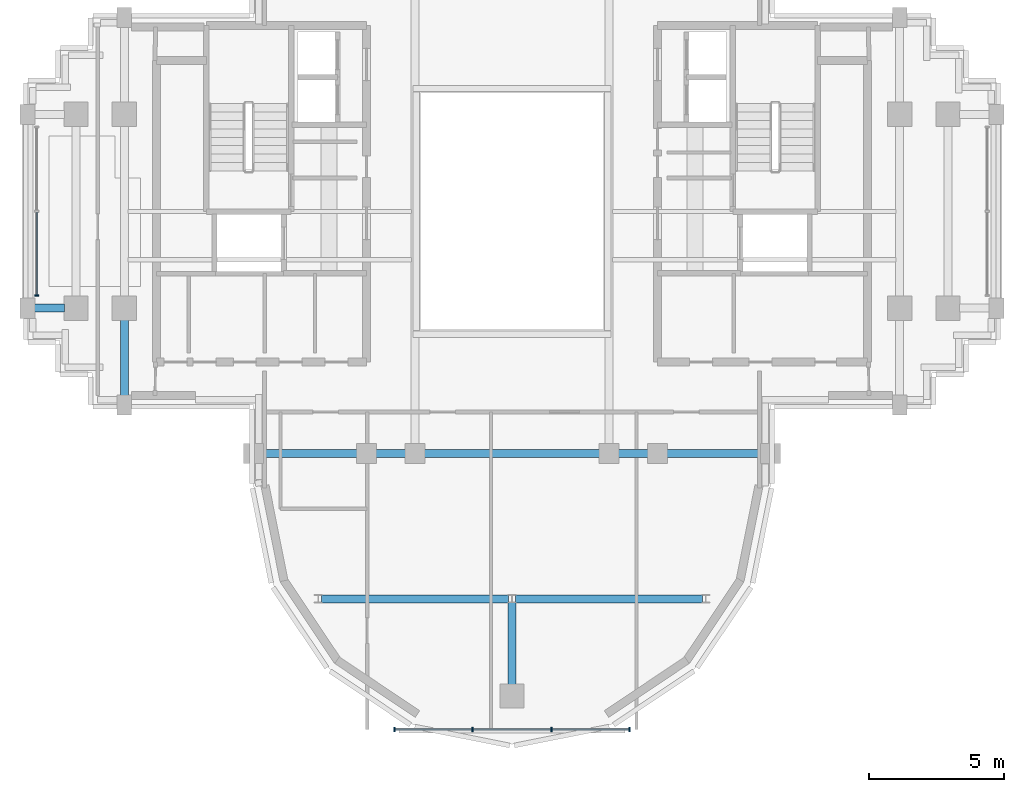
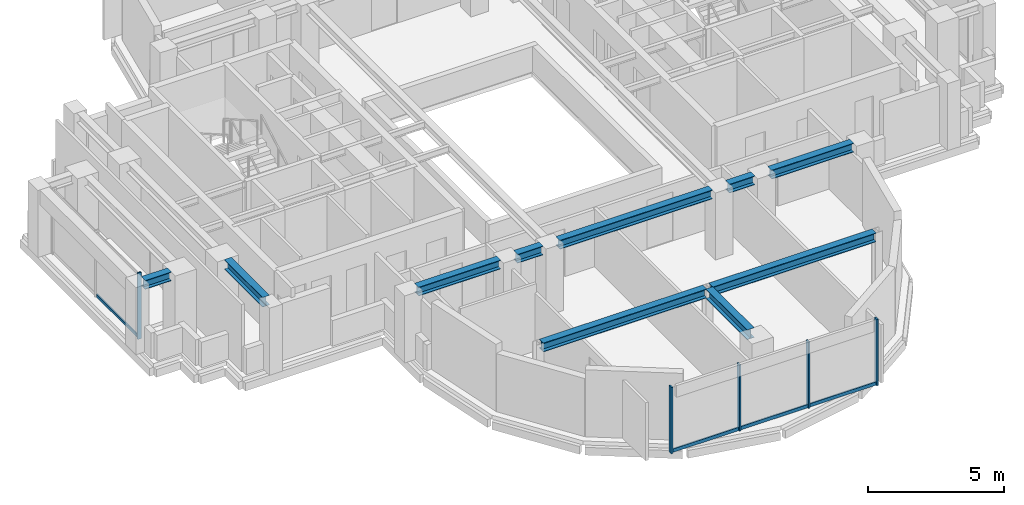
# One storey, part 3 of 12: 10 beams, 9 members, 2 elements without a shape of their own.
"""IFC4 building model written with IfcOpenShell, lengths in metres."""

from ifc_helpers import new_model, si_unit, direction, frame, origin, origin_2d, place, context, subcontext, project, spatial, rectangle, i_section, extrude, source, transform, mapped, material, material_profile, profile_set, type_object, element, aggregate, save


model = new_model("IFC4")

# Units and contexts
model_context = context("Model", 3, precision=1e-05, world=origin(), true_north=direction((0.0, 1.0)))
body_context = subcontext(model_context, "Body", "Model", "MODEL_VIEW")
ifc_project = project(units=[si_unit("LENGTHUNIT", "METRE"), si_unit("AREAUNIT", "SQUARE_METRE"), si_unit("VOLUMEUNIT", "CUBIC_METRE"), si_unit("PLANEANGLEUNIT", "RADIAN"), si_unit("MASSUNIT", "GRAM", prefix="KILO")], contexts=[model_context])

# Site, building, storey
site_placement = place(None, origin())
site = spatial("IfcSite", under=ifc_project, at=site_placement, CompositionType="ELEMENT")
building_placement = place(site_placement, origin())
building = spatial("IfcBuilding", under=site, at=building_placement, Name="Keilestroom Media Tower", CompositionType="ELEMENT")
storey_placement = place(building_placement, frame((0.0, 0.0, 223.60009765625)))
storey = spatial("IfcBuildingStorey", under=building, at=storey_placement, Name="L61", CompositionType="ELEMENT", Elevation=223.60009765625)

# Beams
ifc_material_1 = material(Name="Steel S355", Category="steel")
ifc_material_profile_1 = material_profile(ifc_material_1, i_section(OverallWidth=0.300048828125, OverallDepth=0.39990234375, WebThickness=0.011474609375, FlangeThickness=0.02392578125, at=origin_2d()), Name="HEB 400")
ifc_profile_set_1 = profile_set([ifc_material_profile_1], Name="Steel S355")
beam_type_1 = type_object("IfcBeamType", Name="Primary-Structural-Girder-HEB-400", PredefinedType="BEAM", material=ifc_profile_set_1)
shared_shape_1 = source(origin(), body_context, "Body", "SweptSolid", [
    extrude(i_section(OverallWidth=0.300048828125, OverallDepth=0.39990234375, WebThickness=0.011474609375, FlangeThickness=0.02392578125, at=origin_2d()), origin(), (0.0, 0.0, 1.0), 6.940185546875),
])
for number, where, z_axis, x_axis, name in (
    (1, (-7.070068359375, -14.39990234375, 2.809814453125), (1.0, 0.0, 0.0), (0.0, 1.0, 0.0), "L61 Beam BG-8 BM-L61-EW-001"),
    (2, (0.1298828125, -14.39990234375, 2.809814453125), (1.0, 0.0, 0.0), (0.0, 1.0, 0.0), "L61 Beam BG-8 BM-L61-EW-002"),
):
    element("IfcBeam", number, at=place(storey_placement, frame(where, z_axis=z_axis, x_axis=x_axis)), inside=storey, type_object=beam_type_1, Name=name, PredefinedType="BEAM", context=body_context, shape_type="MappedRepresentation", body=[
        mapped(shared_shape_1, transform((0.0, 0.0, 0.0), x_axis=(1.0, 0.0, 0.0), y_axis=(0.0, 1.0, 0.0), z_axis=(0.0, 0.0, 1.0), scale=1.0)),
    ])
shared_shape_2 = source(origin(), body_context, "Body", "SweptSolid", [
    extrude(i_section(OverallWidth=0.300048828125, OverallDepth=0.39990234375, WebThickness=0.011474609375, FlangeThickness=0.02392578125, at=origin_2d()), origin(), (0.0, 0.0, 1.0), 3.490234375),
])
for number, where, z_axis, x_axis, name in (
    (3, (-9.2451171875, -9.0, 2.809814453125), (1.0, 0.0, 0.0), (0.0, 1.0, 0.0), "L61 Beam BG-8 BM-L61-EW-003"),
    (4, (5.7548828125, -9.0, 2.809814453125), (1.0, 0.0, 0.0), (0.0, 1.0, 0.0), "L61 Beam BG-8 BM-L61-EW-007"),
):
    element("IfcBeam", number, at=place(storey_placement, frame(where, z_axis=z_axis, x_axis=x_axis)), inside=storey, type_object=beam_type_1, Name=name, PredefinedType="BEAM", context=body_context, shape_type="MappedRepresentation", body=[
        mapped(shared_shape_2, transform((0.0, 0.0, 0.0), x_axis=(1.0, 0.0, 0.0), y_axis=(0.0, 1.0, 0.0), z_axis=(0.0, 0.0, 1.0), scale=1.0)),
    ])
shared_shape_3 = source(origin(), body_context, "Body", "SweptSolid", [
    extrude(i_section(OverallWidth=0.300048828125, OverallDepth=0.39990234375, WebThickness=0.011474609375, FlangeThickness=0.02392578125, at=origin_2d()), origin(), (0.0, 0.0, 1.0), 1.08984375),
])
for number, where, z_axis, x_axis, name in (
    (5, (-5.044921875, -9.0, 2.809814453125), (1.0, 0.0, 0.0), (0.0, 1.0, 0.0), "L61 Beam BG-8 BM-L61-EW-004"),
    (6, (3.955078125, -9.0, 2.809814453125), (1.0, 0.0, 0.0), (0.0, 1.0, 0.0), "L61 Beam BG-8 BM-L61-EW-006"),
):
    element("IfcBeam", number, at=place(storey_placement, frame(where, z_axis=z_axis, x_axis=x_axis)), inside=storey, type_object=beam_type_1, Name=name, PredefinedType="BEAM", context=body_context, shape_type="MappedRepresentation", body=[
        mapped(shared_shape_3, transform((0.0, 0.0, 0.0), x_axis=(1.0, 0.0, 0.0), y_axis=(0.0, 1.0, 0.0), z_axis=(0.0, 0.0, 1.0), scale=1.0)),
    ])
shared_shape_4 = source(origin(), body_context, "Body", "SweptSolid", [
    extrude(i_section(OverallWidth=0.300048828125, OverallDepth=0.39990234375, WebThickness=0.011474609375, FlangeThickness=0.02392578125, at=origin_2d()), origin(), (0.0, 0.0, 1.0), 6.490234375),
])
beam_1_placement = place(storey_placement, frame((-3.2451171875, -9.0, 2.809814453125), z_axis=(1.0, 0.0, 0.0), x_axis=(0.0, 1.0, 0.0)))
element("IfcBeam", 7, at=beam_1_placement, inside=storey, type_object=beam_type_1, Name="L61 Beam BG-8 BM-L61-EW-005", PredefinedType="BEAM", context=body_context, shape_type="MappedRepresentation", body=[
    mapped(shared_shape_4, transform((0.0, 0.0, 0.0), x_axis=(1.0, 0.0, 0.0), y_axis=(0.0, 1.0, 0.0), z_axis=(0.0, 0.0, 1.0), scale=1.0)),
])
shared_shape_5 = source(origin(), body_context, "Body", "SweptSolid", [
    extrude(i_section(OverallWidth=0.300048828125, OverallDepth=0.39990234375, WebThickness=0.011474609375, FlangeThickness=0.02392578125, at=origin_2d()), origin(), (0.0, 0.0, 1.0), 1.115234375),
])
beam_2_placement = place(storey_placement, frame((-17.7451171875, -3.60009765625, 2.809814453125), z_axis=(1.0, 0.0, 0.0), x_axis=(0.0, 1.0, 0.0)))
element("IfcBeam", 8, at=beam_2_placement, inside=storey, type_object=beam_type_1, Name="L61 Beam BG-8 BM-L61-EW-008", PredefinedType="BEAM", context=body_context, shape_type="MappedRepresentation", body=[
    mapped(shared_shape_5, transform((0.0, 0.0, 0.0), x_axis=(1.0, 0.0, 0.0), y_axis=(0.0, 1.0, 0.0), z_axis=(0.0, 0.0, 1.0), scale=1.0)),
])
ifc_material_profile_2 = material_profile(ifc_material_1, i_section(OverallWidth=0.300048828125, OverallDepth=0.43994140625, WebThickness=0.011474609375, FlangeThickness=0.02099609375, at=origin_2d()), Name="HEA 450")
ifc_profile_set_2 = profile_set([ifc_material_profile_2], Name="Steel S355")
beam_type_2 = type_object("IfcBeamType", Name="Primary-Structural-Girder-HEA-450", PredefinedType="BEAM", material=ifc_profile_set_2)
shared_shape_6 = source(origin(), body_context, "Body", "SweptSolid", [
    extrude(i_section(OverallWidth=0.300048828125, OverallDepth=0.43994140625, WebThickness=0.011474609375, FlangeThickness=0.02099609375, at=origin_2d()), origin(), (0.0, 0.0, 1.0), 2.81494140625),
])
beam_3_placement = place(storey_placement, frame((-14.39990234375, -6.844970703125, 2.789794921875), z_axis=(0.0, 1.0, 0.0), x_axis=(-1.0, 0.0, 0.0)))
element("IfcBeam", 9, at=beam_3_placement, inside=storey, type_object=beam_type_2, Name="L61 Beam BG-11 BM-L61-NS-027", PredefinedType="BEAM", context=body_context, shape_type="MappedRepresentation", body=[
    mapped(shared_shape_6, transform((0.0, 0.0, 0.0), x_axis=(1.0, 0.0, 0.0), y_axis=(0.0, 1.0, 0.0), z_axis=(0.0, 0.0, 1.0), scale=1.0)),
])
shared_shape_7 = source(origin(), body_context, "Body", "SweptSolid", [
    extrude(i_section(OverallWidth=0.300048828125, OverallDepth=0.43994140625, WebThickness=0.011474609375, FlangeThickness=0.02099609375, at=origin_2d()), origin(), (0.0, 0.0, 1.0), 3.0400390625),
])
beam_4_placement = place(storey_placement, frame((0.0, -17.570068359375, 2.789794921875), z_axis=(0.0, 1.0, 0.0), x_axis=(-1.0, 0.0, 0.0)))
element("IfcBeam", 10, at=beam_4_placement, inside=storey, type_object=beam_type_2, Name="L61 Beam BG-11 BM-L61-NS-034", PredefinedType="BEAM", context=body_context, shape_type="MappedRepresentation", body=[
    mapped(shared_shape_7, transform((0.0, 0.0, 0.0), x_axis=(1.0, 0.0, 0.0), y_axis=(0.0, 1.0, 0.0), z_axis=(0.0, 0.0, 1.0), scale=1.0)),
])

# Curtain wall, members
ifc_material_2 = material(Name="Anodised Aluminium Alloy", Category="aluminium")
curtain_wall_type_1 = type_object("IfcCurtainWallType", Name="Unitised-Curtain-Wall-CW-6", PredefinedType="NOTDEFINED", material=ifc_material_2)
curtain_wall_1_placement = place(storey_placement, origin())
curtain_wall_1 = element("IfcCurtainWall", 11, at=curtain_wall_1_placement, inside=storey, type_object=curtain_wall_type_1, Name="L61 Curtain Wall CW-6 CW-L61-LS-1", PredefinedType="NOTDEFINED")
ifc_material_profile_3 = material_profile(ifc_material_2, rectangle(XDim=0.06494140625, YDim=0.179931640625, at=origin_2d()), Name="ALU MULLION 65x180")
ifc_profile_set_3 = profile_set([ifc_material_profile_3], Name="Anodised Aluminium Alloy")
member_type_1 = type_object("IfcMemberType", Name="Curtain-Wall-Mullion-CW-6", PredefinedType="MULLION", material=ifc_profile_set_3)
shared_shape_8 = source(origin(), body_context, "Body", "SweptSolid", [
    extrude(rectangle(XDim=0.06494140625, YDim=0.179931640625, at=origin_2d()), origin(), (0.0, 0.0, 1.0), 2.97998046875),
])
member_1_placement = place(storey_placement, frame((-4.367431640625, -19.25, 0.0), z_axis=(0.0, 0.0, 1.0), x_axis=(1.0, 0.0, 0.0)))
member_1 = element("IfcMember", 12, at=member_1_placement, type_object=member_type_1, Name="CW-6 Mullion 00", PredefinedType="MULLION", context=body_context, shape_type="MappedRepresentation", body=[
    mapped(shared_shape_8, transform((0.0, 0.0, 0.0), x_axis=(1.0, 0.0, 0.0), y_axis=(0.0, 1.0, 0.0), z_axis=(0.0, 0.0, 1.0), scale=1.0)),
])
member_2_placement = place(storey_placement, frame((-1.466796875, -19.25, 0.0), z_axis=(0.0, 0.0, 1.0), x_axis=(1.0, 0.0, 0.0)))
member_2 = element("IfcMember", 13, at=member_2_placement, type_object=member_type_1, Name="CW-6 Mullion 01", PredefinedType="MULLION", context=body_context, shape_type="MappedRepresentation", body=[
    mapped(shared_shape_8, transform((0.0, 0.0, 0.0), x_axis=(1.0, 0.0, 0.0), y_axis=(0.0, 1.0, 0.0), z_axis=(0.0, 0.0, 1.0), scale=1.0)),
])
member_3_placement = place(storey_placement, frame((1.466796875, -19.25, 0.0), z_axis=(0.0, 0.0, 1.0), x_axis=(1.0, 0.0, 0.0)))
member_3 = element("IfcMember", 14, at=member_3_placement, type_object=member_type_1, Name="CW-6 Mullion 02", PredefinedType="MULLION", context=body_context, shape_type="MappedRepresentation", body=[
    mapped(shared_shape_8, transform((0.0, 0.0, 0.0), x_axis=(1.0, 0.0, 0.0), y_axis=(0.0, 1.0, 0.0), z_axis=(0.0, 0.0, 1.0), scale=1.0)),
])
member_4_placement = place(storey_placement, frame((4.367431640625, -19.25, 0.0), z_axis=(0.0, 0.0, 1.0), x_axis=(1.0, 0.0, 0.0)))
member_4 = element("IfcMember", 15, at=member_4_placement, type_object=member_type_1, Name="CW-6 Mullion 03", PredefinedType="MULLION", context=body_context, shape_type="MappedRepresentation", body=[
    mapped(shared_shape_8, transform((0.0, 0.0, 0.0), x_axis=(1.0, 0.0, 0.0), y_axis=(0.0, 1.0, 0.0), z_axis=(0.0, 0.0, 1.0), scale=1.0)),
])
ifc_material_profile_4 = material_profile(ifc_material_2, rectangle(XDim=0.06494140625, YDim=0.14990234375, at=origin_2d()), Name="ALU TRANSOM 65x150")
ifc_profile_set_4 = profile_set([ifc_material_profile_4], Name="Anodised Aluminium Alloy")
member_type_2 = type_object("IfcMemberType", Name="Curtain-Wall-Transom-CW-6", PredefinedType="USERDEFINED", material=ifc_profile_set_4)
shared_shape_9 = source(origin(), body_context, "Body", "SweptSolid", [
    extrude(rectangle(XDim=0.06494140625, YDim=0.14990234375, at=origin_2d()), origin(), (0.0, 0.0, 1.0), 2.839599609375),
])
member_5_placement = place(storey_placement, frame((-4.3369140625, -19.25, 0.074951171875), z_axis=(1.0, 0.0, 0.0), x_axis=(0.0, 1.0, 0.0)))
member_5 = element("IfcMember", 16, at=member_5_placement, type_object=member_type_2, Name="CW-6 Transom 00.1", ObjectType="TRANSOM", PredefinedType="USERDEFINED", context=body_context, shape_type="MappedRepresentation", body=[
    mapped(shared_shape_9, transform((0.0, 0.0, 0.0), x_axis=(1.0, 0.0, 0.0), y_axis=(0.0, 1.0, 0.0), z_axis=(0.0, 0.0, 1.0), scale=1.0)),
])
member_6_placement = place(storey_placement, frame((1.497314453125, -19.25, 0.074951171875), z_axis=(1.0, 0.0, 0.0), x_axis=(0.0, 1.0, 0.0)))
member_6 = element("IfcMember", 17, at=member_6_placement, type_object=member_type_2, Name="CW-6 Transom 02.1", ObjectType="TRANSOM", PredefinedType="USERDEFINED", context=body_context, shape_type="MappedRepresentation", body=[
    mapped(shared_shape_9, transform((0.0, 0.0, 0.0), x_axis=(1.0, 0.0, 0.0), y_axis=(0.0, 1.0, 0.0), z_axis=(0.0, 0.0, 1.0), scale=1.0)),
])
shared_shape_10 = source(origin(), body_context, "Body", "SweptSolid", [
    extrude(rectangle(XDim=0.06494140625, YDim=0.14990234375, at=origin_2d()), origin(), (0.0, 0.0, 1.0), 2.87255859375),
])
member_7_placement = place(storey_placement, frame((-1.436279296875, -19.25, 0.074951171875), z_axis=(1.0, 0.0, 0.0), x_axis=(0.0, 1.0, 0.0)))
member_7 = element("IfcMember", 18, at=member_7_placement, type_object=member_type_2, Name="CW-6 Transom 01.1", ObjectType="TRANSOM", PredefinedType="USERDEFINED", context=body_context, shape_type="MappedRepresentation", body=[
    mapped(shared_shape_10, transform((0.0, 0.0, 0.0), x_axis=(1.0, 0.0, 0.0), y_axis=(0.0, 1.0, 0.0), z_axis=(0.0, 0.0, 1.0), scale=1.0)),
])
aggregate(curtain_wall_1, [member_1, member_2, member_3, member_4, member_5, member_7, member_6])

curtain_wall_type_2 = type_object("IfcCurtainWallType", Name="Unitised-Curtain-Wall-CW-4", PredefinedType="NOTDEFINED", material=ifc_material_2)
curtain_wall_2_placement = place(storey_placement, origin())
curtain_wall_2 = element("IfcCurtainWall", 19, at=curtain_wall_2_placement, inside=storey, type_object=curtain_wall_type_2, Name="L61 Curtain Wall CW-4 CW-L61-W-1", PredefinedType="NOTDEFINED")
ifc_material_profile_5 = material_profile(ifc_material_2, rectangle(XDim=0.06005859375, YDim=0.159912109375, at=origin_2d()), Name="ALU MULLION 60x160")
ifc_profile_set_5 = profile_set([ifc_material_profile_5], Name="Anodised Aluminium Alloy")
member_type_3 = type_object("IfcMemberType", Name="Curtain-Wall-Mullion-CW-4", PredefinedType="MULLION", material=ifc_profile_set_5)
shared_shape_11 = source(origin(), body_context, "Body", "SweptSolid", [
    extrude(rectangle(XDim=0.06005859375, YDim=0.159912109375, at=origin_2d()), origin(), (0.0, 0.0, 1.0), 2.97998046875),
])
member_8_placement = place(storey_placement, frame((-17.64990234375, -3.135009765625, 0.0), z_axis=(0.0, 0.0, 1.0), x_axis=(0.0, 1.0, 0.0)))
member_8 = element("IfcMember", 20, at=member_8_placement, type_object=member_type_3, Name="CW-4 Mullion 00", PredefinedType="MULLION", context=body_context, shape_type="MappedRepresentation", body=[
    mapped(shared_shape_11, transform((0.0, 0.0, 0.0), x_axis=(1.0, 0.0, 0.0), y_axis=(0.0, 1.0, 0.0), z_axis=(0.0, 0.0, 1.0), scale=1.0)),
])
ifc_material_profile_6 = material_profile(ifc_material_2, rectangle(XDim=0.06005859375, YDim=0.1298828125, at=origin_2d()), Name="ALU TRANSOM 60x130")
ifc_profile_set_6 = profile_set([ifc_material_profile_6], Name="Anodised Aluminium Alloy")
member_type_4 = type_object("IfcMemberType", Name="Curtain-Wall-Transom-CW-4", PredefinedType="USERDEFINED", material=ifc_profile_set_6)
shared_shape_12 = source(origin(), body_context, "Body", "SweptSolid", [
    extrude(rectangle(XDim=0.06005859375, YDim=0.1298828125, at=origin_2d()), origin(), (0.0, 0.0, 1.0), 3.078857421875),
])
member_9_placement = place(storey_placement, frame((-17.64990234375, -3.10693359375, 0.06494140625), z_axis=(0.0, 1.0, 0.0), x_axis=(-1.0, 0.0, 0.0)))
member_9 = element("IfcMember", 21, at=member_9_placement, type_object=member_type_4, Name="CW-4 Transom 00.1", ObjectType="TRANSOM", PredefinedType="USERDEFINED", context=body_context, shape_type="MappedRepresentation", body=[
    mapped(shared_shape_12, transform((0.0, 0.0, 0.0), x_axis=(1.0, 0.0, 0.0), y_axis=(0.0, 1.0, 0.0), z_axis=(0.0, 0.0, 1.0), scale=1.0)),
])
aggregate(curtain_wall_2, [member_8, member_9])

save(model, "model.ifc")
